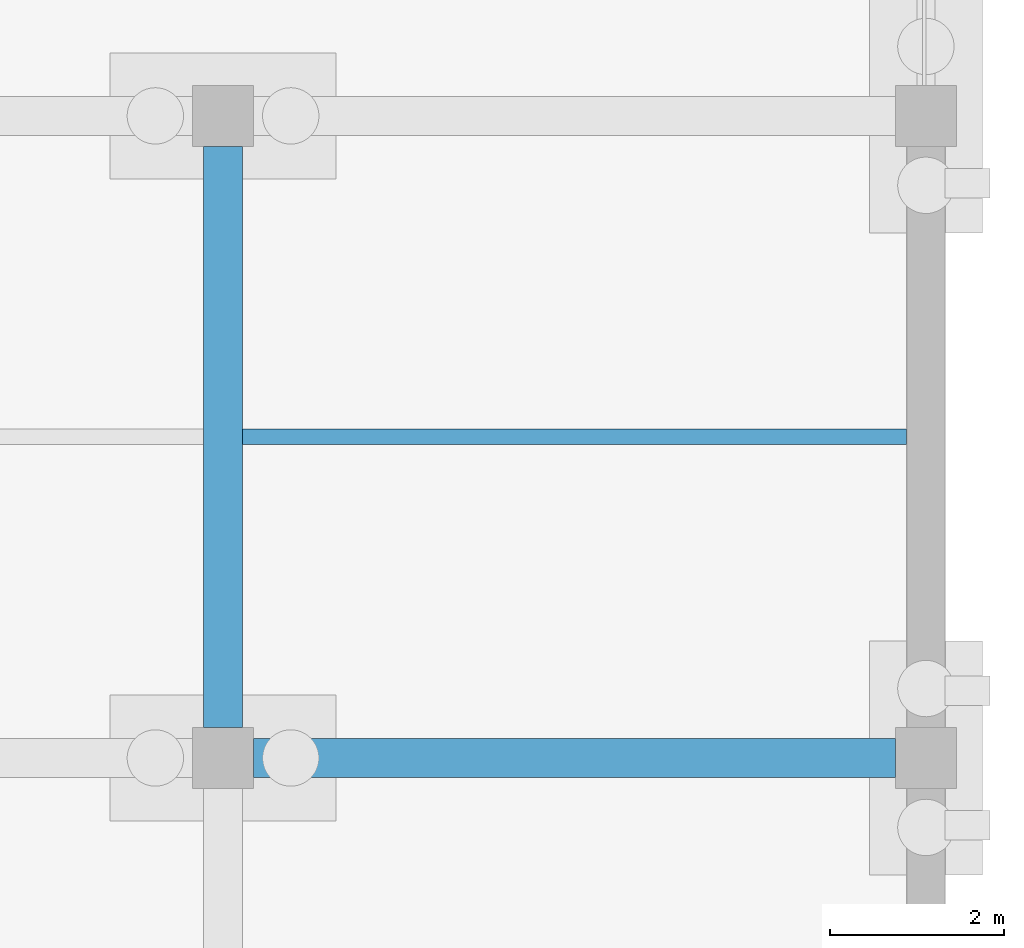
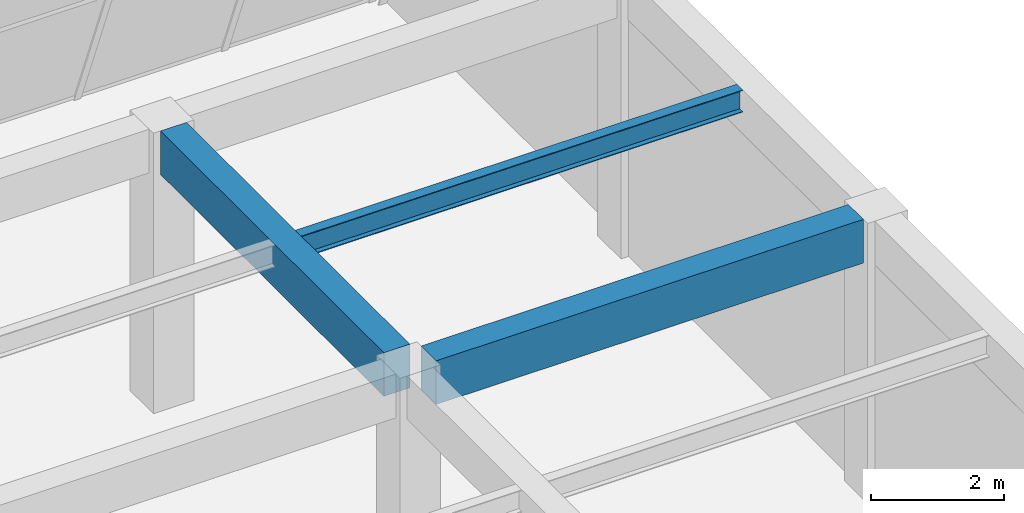
# One storey, part 106 of 140: 3 beams.
"""IFC4 building model written with IfcOpenShell, lengths in metres."""

from ifc_helpers import new_model, si_unit, direction, frame, origin, origin_2d, place, context, subcontext, project, spatial, rectangle, i_section, extrude, material, material_profile, profile_set, type_object, element, save


model = new_model("IFC4")

# Units and contexts
model_context = context("Model", 3, precision=1e-05, world=origin(), true_north=direction((0.0, 1.0)))
body_context = subcontext(model_context, "Body", "Model", "MODEL_VIEW")
ifc_project = project(units=[si_unit("LENGTHUNIT", "METRE"), si_unit("AREAUNIT", "SQUARE_METRE"), si_unit("VOLUMEUNIT", "CUBIC_METRE"), si_unit("PLANEANGLEUNIT", "RADIAN"), si_unit("MASSUNIT", "GRAM", prefix="KILO")], contexts=[model_context])

# Site, building, storey
site_placement = place(None, origin())
site = spatial("IfcSite", under=ifc_project, at=site_placement, CompositionType="ELEMENT")
building_placement = place(site_placement, origin())
building = spatial("IfcBuilding", under=site, at=building_placement, Name="Cimatlan Art Gallery", CompositionType="ELEMENT")
storey_placement = place(building_placement, origin())
storey = spatial("IfcBuildingStorey", under=building, at=storey_placement, Name="L00", CompositionType="ELEMENT", Elevation=0.0)

# Beams
ifc_material_1 = material(Name="Concrete C40/50", Category="concrete")
ifc_material_profile_1 = material_profile(ifc_material_1, rectangle(XDim=0.449951171875, YDim=0.800048828125, at=origin_2d()), Name="RC450X800")
ifc_profile_set_1 = profile_set([ifc_material_profile_1], Name="Concrete C40/50")
beam_type_1 = type_object("IfcBeamType", Name="BM-RC-450X800", PredefinedType="BEAM", material=ifc_profile_set_1)
beam_1_placement = place(storey_placement, frame((155.89990234375, 68.64990234375, 4.735107421875), z_axis=(0.0, 1.0, 0.0), x_axis=(-1.0, 0.0, 0.0)))
element("IfcBeam", 1, at=beam_1_placement, inside=storey, type_object=beam_type_1, Name="BM-Y-L00-19-09", PredefinedType="BEAM", context=body_context, shape_type="SweptSolid", body=[
    extrude(rectangle(XDim=0.449951171875, YDim=0.800048828125, at=origin_2d()), origin(), (0.0, 0.0, 1.0), 6.7001953125),
])
beam_2_placement = place(storey_placement, frame((156.25, 68.300048828125, 4.735107421875), z_axis=(1.0, 0.0, 0.0), x_axis=(0.0, 1.0, 0.0)))
element("IfcBeam", 2, at=beam_2_placement, inside=storey, type_object=beam_type_1, Name="BM-X-L00-19-09", PredefinedType="BEAM", context=body_context, shape_type="SweptSolid", body=[
    extrude(rectangle(XDim=0.449951171875, YDim=0.800048828125, at=origin_2d()), origin(), (0.0, 0.0, 1.0), 7.39990234375),
])
ifc_material_2 = material(Name="Steel ASTM A992 Grade 50", Category="steel")
ifc_material_profile_2 = material_profile(ifc_material_2, i_section(OverallWidth=0.177978515625, OverallDepth=0.406982421875, WebThickness=0.0078125, FlangeThickness=0.0126953125, at=origin_2d()), Name="W16X40")
ifc_profile_set_2 = profile_set([ifc_material_profile_2], Name="Steel ASTM A992 Grade 50")
beam_type_2 = type_object("IfcBeamType", Name="BM-STL-W16X40", PredefinedType="JOIST", material=ifc_profile_set_2)
beam_3_placement = place(storey_placement, frame((156.125, 72.0, 4.931396484375), z_axis=(1.0, 0.0, 0.0), x_axis=(0.0, 1.0, 0.0)))
element("IfcBeam", 3, at=beam_3_placement, inside=storey, type_object=beam_type_2, Name="JST-L00-19-09", PredefinedType="JOIST", context=body_context, shape_type="SweptSolid", body=[
    extrude(i_section(OverallWidth=0.177978515625, OverallDepth=0.406982421875, WebThickness=0.0078125, FlangeThickness=0.0126953125, at=origin_2d()), origin(), (0.0, 0.0, 1.0), 7.64990234375),
])

save(model, "model.ifc")
